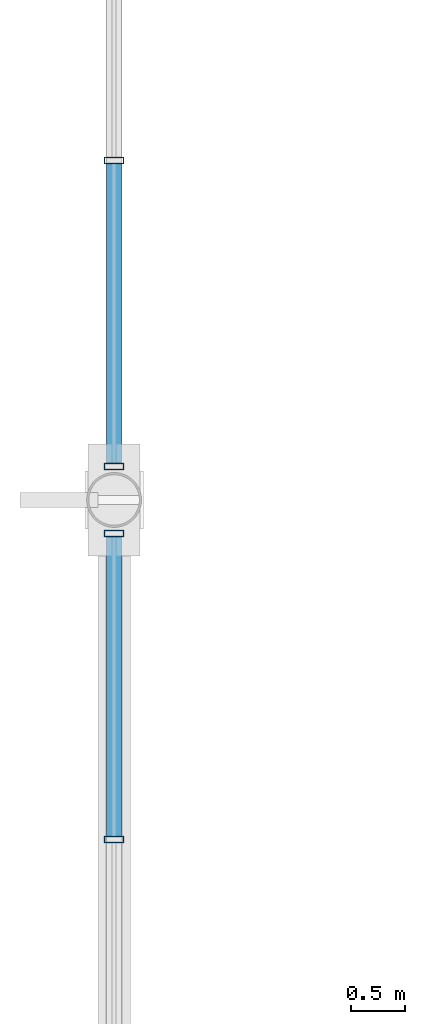
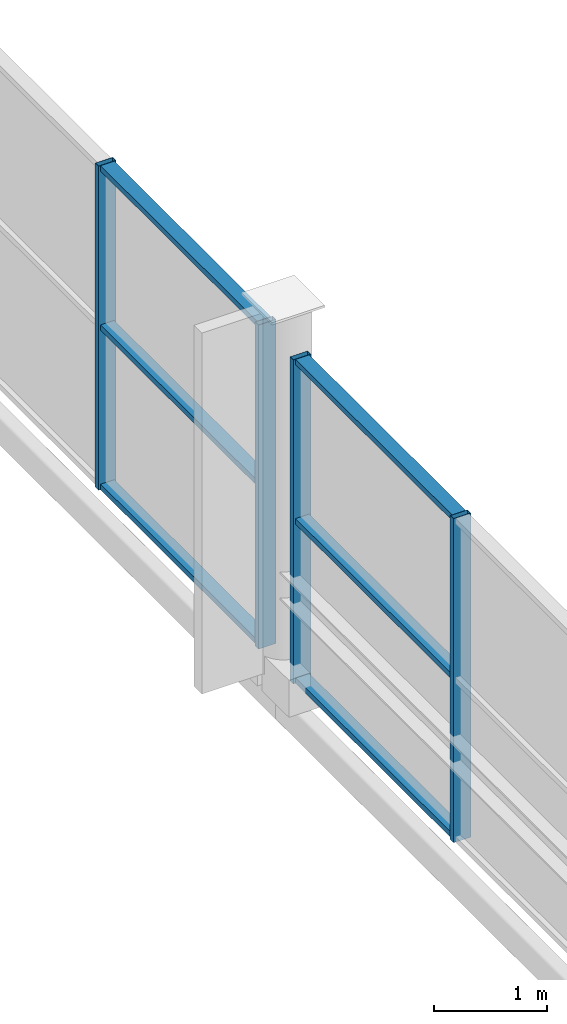
# One storey, part 22 of 117: 10 members, 2 elements without a shape of their own.
"""IFC4 building model written with IfcOpenShell, lengths in metres."""

from ifc_helpers import new_model, si_unit, direction, frame, origin, origin_2d, place, context, subcontext, project, spatial, hollow_rectangle, extrude, material, material_profile, profile_set, type_object, element, aggregate, save


model = new_model("IFC4")

# Units and contexts
model_context = context("Model", 3, precision=1e-05, world=origin(), true_north=direction((0.0, 1.0)))
body_context = subcontext(model_context, "Body", "Model", "MODEL_VIEW")
ifc_project = project(units=[si_unit("LENGTHUNIT", "METRE"), si_unit("AREAUNIT", "SQUARE_METRE"), si_unit("VOLUMEUNIT", "CUBIC_METRE"), si_unit("PLANEANGLEUNIT", "RADIAN"), si_unit("MASSUNIT", "GRAM", prefix="KILO")], contexts=[model_context])

# Site, building, storey
site_placement = place(None, origin())
site = spatial("IfcSite", under=ifc_project, at=site_placement, CompositionType="ELEMENT")
building_placement = place(site_placement, origin())
building = spatial("IfcBuilding", under=site, at=building_placement, Name="Merenkruunu Market Hall", CompositionType="ELEMENT")
storey_placement = place(building_placement, frame((0.0, 0.0, 10.199951171875)))
storey = spatial("IfcBuildingStorey", under=building, at=storey_placement, Name="L02", CompositionType="ELEMENT", Elevation=10.199951171875)

# Curtain wall, members
ifc_material = material(Name="Powder-coated aluminium", Category="aluminium")
curtain_wall_type = type_object("IfcCurtainWallType", Name="Glazed Curtain Wall CW13", PredefinedType="USERDEFINED", material=ifc_material)
curtain_wall_1_placement = place(storey_placement, origin())
curtain_wall_1 = element("IfcCurtainWall", 1, at=curtain_wall_1_placement, inside=storey, type_object=curtain_wall_type, Name="CW-L02-CWM02-003", ObjectType="GLAZED_FACADE", PredefinedType="USERDEFINED")
ifc_material_profile_1 = material_profile(ifc_material, hollow_rectangle(XDim=0.06005859375, YDim=0.179931640625, WallThickness=0.00390625, at=origin_2d()), Name="ALU 60x180x4")
ifc_profile_set_1 = profile_set([ifc_material_profile_1], Name="Powder-coated aluminium")
member_type_1 = type_object("IfcMemberType", Name="Curtain Wall Mullion CWM02", PredefinedType="MULLION", material=ifc_profile_set_1)
member_1_placement = place(storey_placement, frame((0.0, 24.4599609375, 0.0), z_axis=(0.0, 0.0, 1.0), x_axis=(0.0, 1.0, 0.0)))
member_1 = element("IfcMember", 2, at=member_1_placement, type_object=member_type_1, Name="CW13 mullion 4", PredefinedType="MULLION", context=body_context, shape_type="SweptSolid", body=[
    extrude(hollow_rectangle(XDim=0.06005859375, YDim=0.179931640625, WallThickness=0.00390625, at=origin_2d()), origin(), (0.0, 0.0, 1.0), 3.5),
])
member_2_placement = place(storey_placement, frame((0.0, 27.2900390625, 0.0), z_axis=(0.0, 0.0, 1.0), x_axis=(0.0, 1.0, 0.0)))
member_2 = element("IfcMember", 3, at=member_2_placement, type_object=member_type_1, Name="CW13 mullion 5", PredefinedType="MULLION", context=body_context, shape_type="SweptSolid", body=[
    extrude(hollow_rectangle(XDim=0.06005859375, YDim=0.179931640625, WallThickness=0.00390625, at=origin_2d()), origin(), (0.0, 0.0, 1.0), 3.5),
])

curtain_wall_2_placement = place(storey_placement, origin())
curtain_wall_2 = element("IfcCurtainWall", 4, at=curtain_wall_2_placement, inside=storey, type_object=curtain_wall_type, Name="CW-L02-CWM02-006", ObjectType="GLAZED_FACADE", PredefinedType="USERDEFINED")
member_3_placement = place(storey_placement, frame((0.0, 27.909912109375, 0.0), z_axis=(0.0, 0.0, 1.0), x_axis=(0.0, 1.0, 0.0)))
member_3 = element("IfcMember", 5, at=member_3_placement, type_object=member_type_1, Name="CW13 mullion 1", PredefinedType="MULLION", context=body_context, shape_type="SweptSolid", body=[
    extrude(hollow_rectangle(XDim=0.06005859375, YDim=0.179931640625, WallThickness=0.00390625, at=origin_2d()), origin(), (0.0, 0.0, 1.0), 3.5),
])
member_4_placement = place(storey_placement, frame((0.0, 30.739990234375, 0.0), z_axis=(0.0, 0.0, 1.0), x_axis=(0.0, 1.0, 0.0)))
member_4 = element("IfcMember", 6, at=member_4_placement, type_object=member_type_1, Name="CW13 mullion 2", PredefinedType="MULLION", context=body_context, shape_type="SweptSolid", body=[
    extrude(hollow_rectangle(XDim=0.06005859375, YDim=0.179931640625, WallThickness=0.00390625, at=origin_2d()), origin(), (0.0, 0.0, 1.0), 3.5),
])

# Member
ifc_material_profile_2 = material_profile(ifc_material, hollow_rectangle(XDim=0.06005859375, YDim=0.139892578125, WallThickness=0.00390625, at=origin_2d()), Name="ALU 60x140x4")
ifc_profile_set_2 = profile_set([ifc_material_profile_2], Name="Powder-coated aluminium")
member_type_2 = type_object("IfcMemberType", Name="Curtain Wall Transom CWT02", PredefinedType="USERDEFINED", material=ifc_profile_set_2)
member_5_placement = place(storey_placement, frame((0.0, 24.489990234375, 0.030029296875), z_axis=(0.0, 1.0, 0.0), x_axis=(0.0, 0.0, 1.0)))
member_5 = element("IfcMember", 7, at=member_5_placement, type_object=member_type_2, Name="CW13 transom 4.1", ObjectType="TRANSOM", PredefinedType="USERDEFINED", context=body_context, shape_type="SweptSolid", body=[
    extrude(hollow_rectangle(XDim=0.06005859375, YDim=0.139892578125, WallThickness=0.00390625, at=origin_2d()), origin(), (0.0, 0.0, 1.0), 2.77001953125),
])

member_6_placement = place(storey_placement, frame((0.0, 24.489990234375, 1.75), z_axis=(0.0, 1.0, 0.0), x_axis=(0.0, 0.0, 1.0)))
member_6 = element("IfcMember", 8, at=member_6_placement, type_object=member_type_2, Name="CW13 transom 4.2", ObjectType="TRANSOM", PredefinedType="USERDEFINED", context=body_context, shape_type="SweptSolid", body=[
    extrude(hollow_rectangle(XDim=0.06005859375, YDim=0.139892578125, WallThickness=0.00390625, at=origin_2d()), origin(), (0.0, 0.0, 1.0), 2.77001953125),
])

member_7_placement = place(storey_placement, frame((0.0, 24.489990234375, 3.469970703125), z_axis=(0.0, 1.0, 0.0), x_axis=(0.0, 0.0, 1.0)))
member_7 = element("IfcMember", 9, at=member_7_placement, type_object=member_type_2, Name="CW13 transom 4.3", ObjectType="TRANSOM", PredefinedType="USERDEFINED", context=body_context, shape_type="SweptSolid", body=[
    extrude(hollow_rectangle(XDim=0.06005859375, YDim=0.139892578125, WallThickness=0.00390625, at=origin_2d()), origin(), (0.0, 0.0, 1.0), 2.77001953125),
])

aggregate(curtain_wall_1, [member_1, member_2, member_5, member_6, member_7])

member_8_placement = place(storey_placement, frame((0.0, 27.93994140625, 0.030029296875), z_axis=(0.0, 1.0, 0.0), x_axis=(0.0, 0.0, 1.0)))
member_8 = element("IfcMember", 10, at=member_8_placement, type_object=member_type_2, Name="CW13 transom 1.1", ObjectType="TRANSOM", PredefinedType="USERDEFINED", context=body_context, shape_type="SweptSolid", body=[
    extrude(hollow_rectangle(XDim=0.06005859375, YDim=0.139892578125, WallThickness=0.00390625, at=origin_2d()), origin(), (0.0, 0.0, 1.0), 2.77001953125),
])

member_9_placement = place(storey_placement, frame((0.0, 27.93994140625, 1.75), z_axis=(0.0, 1.0, 0.0), x_axis=(0.0, 0.0, 1.0)))
member_9 = element("IfcMember", 11, at=member_9_placement, type_object=member_type_2, Name="CW13 transom 1.2", ObjectType="TRANSOM", PredefinedType="USERDEFINED", context=body_context, shape_type="SweptSolid", body=[
    extrude(hollow_rectangle(XDim=0.06005859375, YDim=0.139892578125, WallThickness=0.00390625, at=origin_2d()), origin(), (0.0, 0.0, 1.0), 2.77001953125),
])

member_10_placement = place(storey_placement, frame((0.0, 27.93994140625, 3.469970703125), z_axis=(0.0, 1.0, 0.0), x_axis=(0.0, 0.0, 1.0)))
member_10 = element("IfcMember", 12, at=member_10_placement, type_object=member_type_2, Name="CW13 transom 1.3", ObjectType="TRANSOM", PredefinedType="USERDEFINED", context=body_context, shape_type="SweptSolid", body=[
    extrude(hollow_rectangle(XDim=0.06005859375, YDim=0.139892578125, WallThickness=0.00390625, at=origin_2d()), origin(), (0.0, 0.0, 1.0), 2.77001953125),
])

aggregate(curtain_wall_2, [member_3, member_4, member_8, member_9, member_10])

save(model, "model.ifc")
